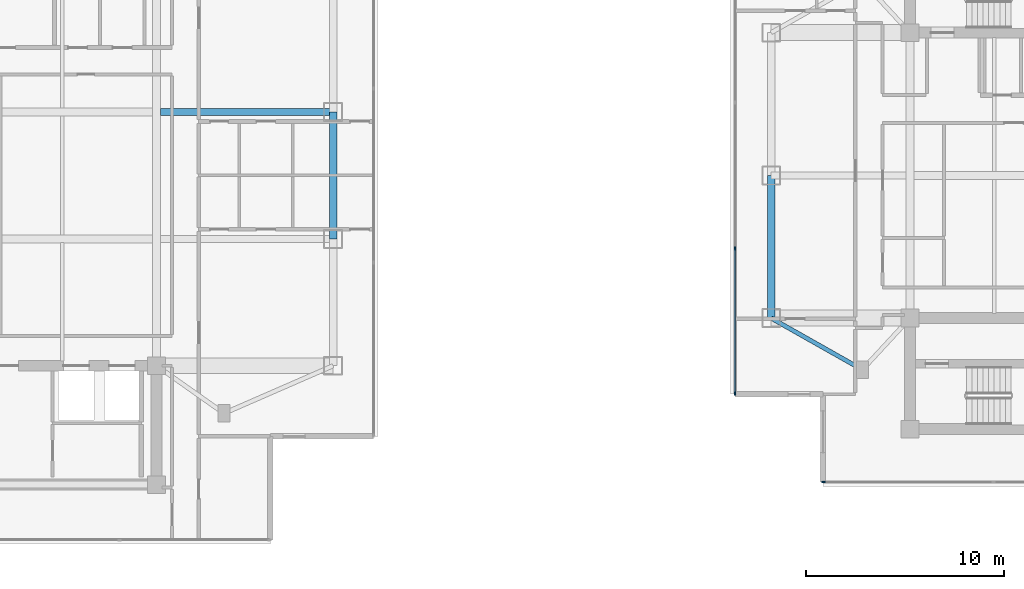
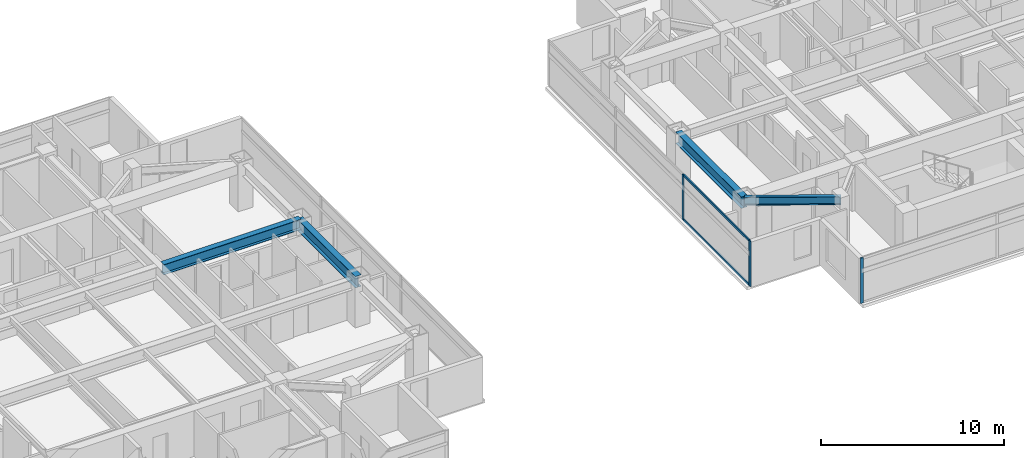
# One storey, part 5 of 24: 5 members, 4 beams, 2 elements without a shape of their own.
"""IFC4 building model written with IfcOpenShell, lengths in metres."""

from ifc_helpers import new_model, si_unit, direction, frame, origin, origin_2d, place, context, subcontext, project, spatial, rectangle, i_section, extrude, material, material_profile, profile_set, type_object, element, aggregate, save


model = new_model("IFC4")

# Units and contexts
model_context = context("Model", 3, precision=1e-05, world=origin(), true_north=direction((0.0, 1.0)))
body_context = subcontext(model_context, "Body", "Model", "MODEL_VIEW")
ifc_project = project(units=[si_unit("LENGTHUNIT", "METRE"), si_unit("AREAUNIT", "SQUARE_METRE"), si_unit("VOLUMEUNIT", "CUBIC_METRE"), si_unit("PLANEANGLEUNIT", "RADIAN"), si_unit("MASSUNIT", "GRAM", prefix="KILO")], contexts=[model_context])

# Site, building, storey
site_placement = place(None, origin())
site = spatial("IfcSite", under=ifc_project, at=site_placement, CompositionType="ELEMENT")
building_placement = place(site_placement, origin())
building = spatial("IfcBuilding", under=site, at=building_placement, Name="Mirazonda Arch Towers", CompositionType="ELEMENT")
storey_placement = place(building_placement, frame((0.0, 0.0, 196.64990234375)))
storey = spatial("IfcBuildingStorey", under=building, at=storey_placement, Name="L56", CompositionType="ELEMENT", Elevation=196.64990234375)

# Beams
ifc_material_1 = material(Name="Steel ASTM A992 Grade 50", Category="steel")
ifc_material_profile_1 = material_profile(ifc_material_1, i_section(OverallWidth=0.381103515625, OverallDepth=0.77294921875, WebThickness=0.0166015625, FlangeThickness=0.027099609375, at=origin_2d()), Name="W30X173")
ifc_profile_set_1 = profile_set([ifc_material_profile_1], Name="Steel ASTM A992 Grade 50")
beam_type_1 = type_object("IfcBeamType", Name="BM-EXT-W30X173", PredefinedType="USERDEFINED", material=ifc_profile_set_1)
beam_1_placement = place(storey_placement, frame((38.89990234375, 24.800048828125, 2.66357421875), z_axis=(0.0, 1.0, 0.0), x_axis=(-1.0, 0.0, 0.0)))
element("IfcBeam", 1, at=beam_1_placement, inside=storey, type_object=beam_type_1, Name="L56 Floor Beam BM-T1-L56-NS-E-24", ObjectType="GIRDER", PredefinedType="USERDEFINED", context=body_context, shape_type="SweptSolid", body=[
    extrude(i_section(OverallWidth=0.381103515625, OverallDepth=0.77294921875, WebThickness=0.0166015625, FlangeThickness=0.027099609375, at=origin_2d()), origin(), (0.0, 0.0, 1.0), 6.39990234375),
])
beam_2_placement = place(storey_placement, frame((61.0, 20.800048828125, 2.66357421875), z_axis=(0.0, 1.0, 0.0), x_axis=(-1.0, 0.0, 0.0)))
element("IfcBeam", 2, at=beam_2_placement, inside=storey, type_object=beam_type_1, Name="L56 Floor Beam BM-T2-L56-NS-W-20", ObjectType="GIRDER", PredefinedType="USERDEFINED", context=body_context, shape_type="SweptSolid", body=[
    extrude(i_section(OverallWidth=0.381103515625, OverallDepth=0.77294921875, WebThickness=0.0166015625, FlangeThickness=0.027099609375, at=origin_2d()), origin(), (0.0, 0.0, 1.0), 7.199951171875),
])
ifc_material_profile_2 = material_profile(ifc_material_1, i_section(OverallWidth=0.214111328125, OverallDepth=0.549072265625, WebThickness=0.0146484375, FlangeThickness=0.023681640625, at=origin_2d()), Name="W21X93")
ifc_profile_set_2 = profile_set([ifc_material_profile_2], Name="Steel ASTM A992 Grade 50")
beam_type_2 = type_object("IfcBeamType", Name="BM-INT-W21X93", PredefinedType="BEAM", material=ifc_profile_set_2)
beam_3_placement = place(storey_placement, frame((65.60009765625, 18.199951171875, 2.775634765625), z_axis=(-0.870559396632, 0.492063346467, 0.0), x_axis=(-0.492063346467, -0.870559396632, 0.0)))
element("IfcBeam", 3, at=beam_3_placement, inside=storey, type_object=beam_type_2, Name="L56 Floor Beam BM-T2-L56-PL-SW2", PredefinedType="BEAM", context=body_context, shape_type="SweptSolid", body=[
    extrude(i_section(OverallWidth=0.214111328125, OverallDepth=0.549072265625, WebThickness=0.0146484375, FlangeThickness=0.023681640625, at=origin_2d()), origin(), (0.0, 0.0, 1.0), 5.2841796875),
])
ifc_material_profile_3 = material_profile(ifc_material_1, i_section(OverallWidth=0.35498046875, OverallDepth=0.696044921875, WebThickness=0.015380859375, FlangeThickness=0.02490234375, at=origin_2d()), Name="W27X146")
ifc_profile_set_3 = profile_set([ifc_material_profile_3], Name="Steel ASTM A992 Grade 50")
beam_type_3 = type_object("IfcBeamType", Name="BM-INT-W27X146", PredefinedType="BEAM", material=ifc_profile_set_3)
beam_4_placement = place(storey_placement, frame((30.199951171875, 31.199951171875, 2.7021484375), z_axis=(1.0, 0.0, 0.0), x_axis=(0.0, 1.0, 0.0)))
element("IfcBeam", 4, at=beam_4_placement, inside=storey, type_object=beam_type_3, Name="L56 Floor Beam BM-T1-L56-GE3", PredefinedType="BEAM", context=body_context, shape_type="SweptSolid", body=[
    extrude(i_section(OverallWidth=0.35498046875, OverallDepth=0.696044921875, WebThickness=0.015380859375, FlangeThickness=0.02490234375, at=origin_2d()), origin(), (0.0, 0.0, 1.0), 8.699951171875),
])

# Curtain wall, member
ifc_material_2 = material(Name="Anodised Aluminium and Low-E Glass", Category="aluminium")
curtain_wall_type = type_object("IfcCurtainWallType", Name="CW-RES-UNIT", PredefinedType="NOTDEFINED", material=ifc_material_2)
curtain_wall_1_placement = place(storey_placement, origin())
curtain_wall_1 = element("IfcCurtainWall", 5, at=curtain_wall_1_placement, inside=storey, type_object=curtain_wall_type, Name="L56 T2 S Facade CW-L56-T2-S", PredefinedType="NOTDEFINED")
ifc_material_3 = material(Name="Anodised Aluminium Alloy", Category="aluminium")
ifc_material_profile_4 = material_profile(ifc_material_3, rectangle(XDim=0.074951171875, YDim=0.175048828125, at=origin_2d()), Name="ALU-MULL-75x175")
ifc_profile_set_4 = profile_set([ifc_material_profile_4], Name="Anodised Aluminium Alloy")
member_type_1 = type_object("IfcMemberType", Name="MULL-CW-RES-UNIT", PredefinedType="MULLION", material=ifc_profile_set_4)
member_1_placement = place(storey_placement, frame((63.647705078125, 12.5283203125, 0.0), z_axis=(0.0, 0.0, 1.0), x_axis=(0.0, -1.0, 0.0)))
member_1 = element("IfcMember", 6, at=member_1_placement, type_object=member_type_1, Name="CW-104 mullion 4", PredefinedType="MULLION", context=body_context, shape_type="SweptSolid", body=[
    extrude(rectangle(XDim=0.074951171875, YDim=0.175048828125, at=origin_2d()), origin(), (0.0, 0.0, 1.0), 3.030029296875),
])
aggregate(curtain_wall_1, [member_1])

# Curtain wall, members
curtain_wall_2_placement = place(storey_placement, origin())
curtain_wall_2 = element("IfcCurtainWall", 7, at=curtain_wall_2_placement, inside=storey, type_object=curtain_wall_type, Name="L56 T2 W Facade CW-L56-T2-W", PredefinedType="NOTDEFINED")
member_2_placement = place(storey_placement, frame((59.17041015625, 24.32275390625, 0.0), z_axis=(0.0, 0.0, 1.0), x_axis=(1.0, 0.0, 0.0)))
member_2 = element("IfcMember", 8, at=member_2_placement, type_object=member_type_1, Name="CW-104 mullion 3", PredefinedType="MULLION", context=body_context, shape_type="SweptSolid", body=[
    extrude(rectangle(XDim=0.074951171875, YDim=0.175048828125, at=origin_2d()), origin(), (0.0, 0.0, 1.0), 3.030029296875),
])
member_3_placement = place(storey_placement, frame((59.17041015625, 17.005615234375, 0.0), z_axis=(0.0, 0.0, 1.0), x_axis=(1.0, 0.0, 0.0)))
member_3 = element("IfcMember", 9, at=member_3_placement, type_object=member_type_1, Name="CW-104 mullion 4", PredefinedType="MULLION", context=body_context, shape_type="SweptSolid", body=[
    extrude(rectangle(XDim=0.074951171875, YDim=0.175048828125, at=origin_2d()), origin(), (0.0, 0.0, 1.0), 3.030029296875),
])
ifc_material_profile_5 = material_profile(ifc_material_3, rectangle(XDim=0.074951171875, YDim=0.155029296875, at=origin_2d()), Name="ALU-TRAN-75x155")
ifc_profile_set_5 = profile_set([ifc_material_profile_5], Name="Anodised Aluminium Alloy")
member_type_2 = type_object("IfcMemberType", Name="TRAN-CW-RES-UNIT", PredefinedType="USERDEFINED", material=ifc_profile_set_5)
member_4_placement = place(storey_placement, frame((59.17041015625, 24.28515625, 0.03759765625), z_axis=(0.0, -1.0, 0.0), x_axis=(1.0, 0.0, 0.0)))
member_4 = element("IfcMember", 10, at=member_4_placement, type_object=member_type_2, Name="CW-104 transom 3.1", ObjectType="TRANSOM", PredefinedType="USERDEFINED", context=body_context, shape_type="SweptSolid", body=[
    extrude(rectangle(XDim=0.074951171875, YDim=0.155029296875, at=origin_2d()), origin(), (0.0, 0.0, 1.0), 7.2421875),
])
member_5_placement = place(storey_placement, frame((59.17041015625, 24.28515625, 2.99267578125), z_axis=(0.0, -1.0, 0.0), x_axis=(1.0, 0.0, 0.0)))
member_5 = element("IfcMember", 11, at=member_5_placement, type_object=member_type_2, Name="CW-104 transom 3.2", ObjectType="TRANSOM", PredefinedType="USERDEFINED", context=body_context, shape_type="SweptSolid", body=[
    extrude(rectangle(XDim=0.074951171875, YDim=0.155029296875, at=origin_2d()), origin(), (0.0, 0.0, 1.0), 7.2421875),
])
aggregate(curtain_wall_2, [member_2, member_3, member_4, member_5])

save(model, "model.ifc")
